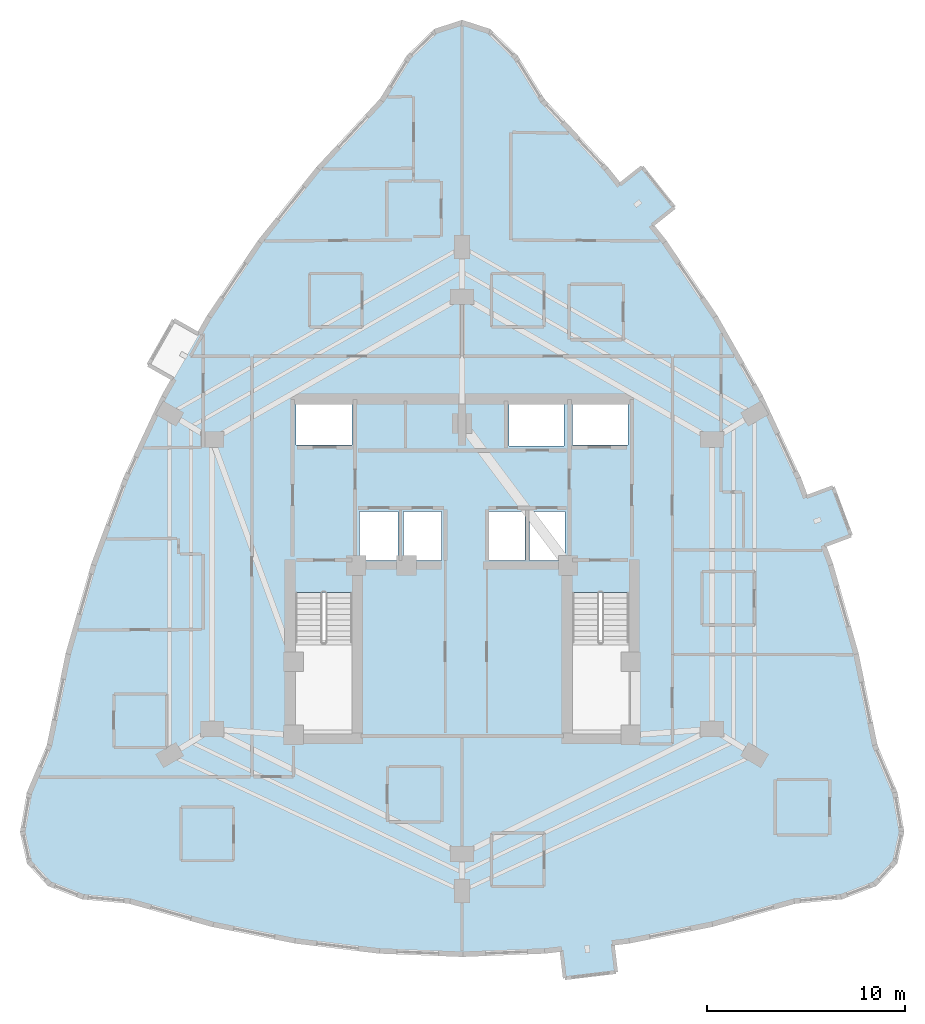
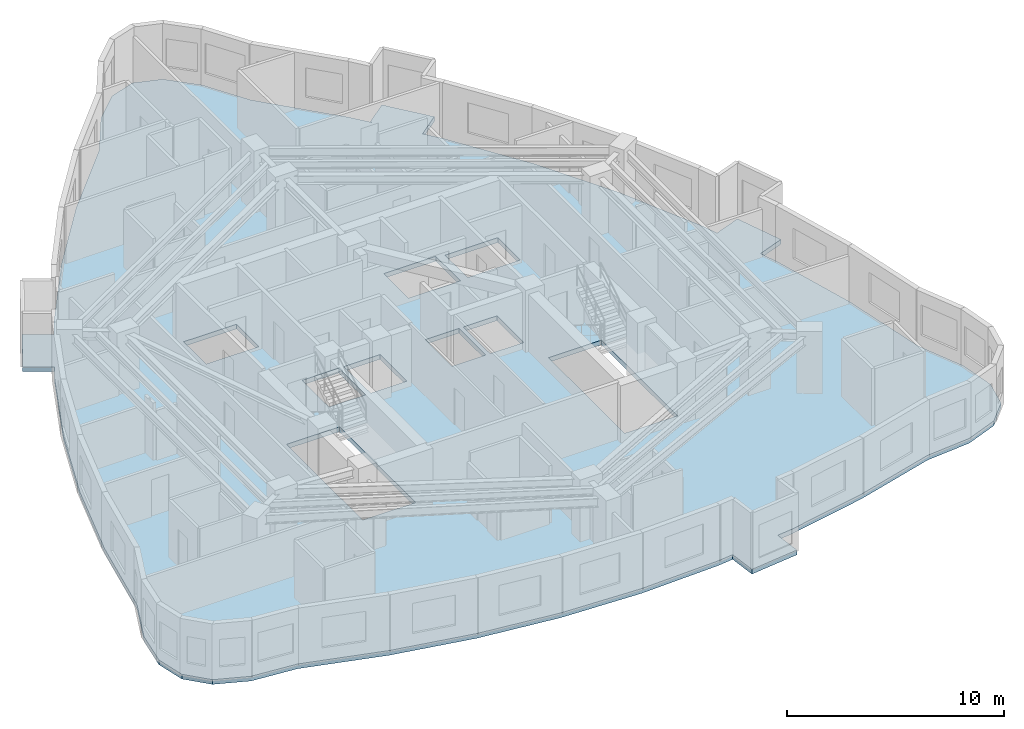
# One storey, part 3 of 12: 1 slab.
"""IFC4 building model written with IfcOpenShell, lengths in metres."""

from ifc_helpers import new_model, si_unit, direction, frame, origin, place, context, subcontext, project, spatial, polyline, outline, extrude, material, layer, layer_set, type_object, element, save


model = new_model("IFC4")

# Units and contexts
model_context = context("Model", 3, precision=1e-05, world=origin(), true_north=direction((0.0, 1.0)))
body_context = subcontext(model_context, "Body", "Model", "MODEL_VIEW")
ifc_project = project(units=[si_unit("LENGTHUNIT", "METRE"), si_unit("AREAUNIT", "SQUARE_METRE"), si_unit("VOLUMEUNIT", "CUBIC_METRE"), si_unit("PLANEANGLEUNIT", "RADIAN"), si_unit("MASSUNIT", "GRAM", prefix="KILO")], contexts=[model_context])

# Site, building, storey
site_placement = place(None, origin())
site = spatial("IfcSite", under=ifc_project, at=site_placement, CompositionType="ELEMENT")
building_placement = place(site_placement, origin())
building = spatial("IfcBuilding", under=site, at=building_placement, Name="Miruveldt Soraemaru", CompositionType="ELEMENT")
storey_placement = place(building_placement, frame((0.0, 0.0, 110.89990234375)))
storey = spatial("IfcBuildingStorey", under=building, at=storey_placement, Name="L30", CompositionType="ELEMENT", Elevation=110.89990234375)

# Slab
ifc_material = material(Name="Concrete C40/50 (40 MPa)", Category="concrete")
ifc_layer = layer(ifc_material, 0.264892578125, Name="Concrete C40/50 (40 MPa)", Category="concrete")
ifc_layer_set = layer_set([ifc_layer], Name="Concrete C40/50 (40 MPa)")
slab_type = type_object("IfcSlabType", Name="SLAB-RES2-265", PredefinedType="FLOOR", material=ifc_layer_set)
slab_placement = place(storey_placement, frame((0.0, 0.0, -0.264892578125)))
element("IfcSlab", 1, at=slab_placement, inside=storey, type_object=slab_type, Name="L30 Structural Floor Slab", PredefinedType="FLOOR", context=body_context, shape_type="SweptSolid", body=[
    extrude(outline(polyline([(49.17431640625, 23.251708984375), (48.997802734375, 24.72119140625), (48.1923828125, 24.62451171875), (44.0, 24.456787109375), (39.8076171875, 24.62451171875), (35.615234375, 25.127685546875), (31.4228515625, 25.966064453125), (27.23046875, 27.139892578125), (24.877685546875, 27.357421875), (23.197021484375, 28.00927734375), (22.188720703125, 29.095947265625), (21.8525390625, 30.617431640625), (22.188720703125, 32.573486328125), (23.197021484375, 34.96435546875), (24.154541015625, 39.61767578125), (25.4375, 44.103515625), (27.045654296875, 48.42138671875), (28.979248046875, 52.571533203125), (29.46728515625, 53.43212890625), (28.179931640625, 54.162109375), (29.462646484375, 56.423828125), (30.75, 55.693603515625), (30.108642578125, 54.56298828125), (31.238037109375, 56.55419921875), (33.822265625, 60.368896484375), (36.731689453125, 64.01611328125), (39.966552734375, 67.49560546875), (41.31103515625, 69.669189453125), (42.655517578125, 70.97314453125), (44.0, 71.407958984375), (45.344482421875, 70.97314453125), (46.68896484375, 69.669189453125), (48.033447265625, 67.49560546875), (51.268310546875, 64.01611328125), (52.722900390625, 62.192626953125), (51.912353515625, 63.208984375), (53.0693359375, 64.1318359375), (54.690673828125, 62.099365234375), (53.53369140625, 61.17626953125), (54.177734375, 60.368896484375), (56.761962890625, 56.55419921875), (59.020751953125, 52.571533203125), (60.954345703125, 48.42138671875), (61.75830078125, 46.262451171875), (61.3046875, 47.480712890625), (62.691650390625, 47.997314453125), (63.59912109375, 45.560791015625), (62.212158203125, 45.044189453125), (62.5625, 44.103515625), (63.845458984375, 39.61767578125), (64.802978515625, 34.96435546875), (65.811279296875, 32.573486328125), (66.1474609375, 30.617431640625), (65.811279296875, 29.095947265625), (64.802978515625, 28.00927734375), (63.122314453125, 27.357421875), (60.76953125, 27.139892578125), (56.5771484375, 25.966064453125), (52.384765625, 25.127685546875), (50.28857421875, 24.8759765625), (51.579345703125, 25.031005859375), (51.755615234375, 23.561279296875), (49.17431640625, 23.251708984375)]), holes=[polyline([(35.614990234375, 35.6650390625), (38.43505859375, 35.6650390625), (38.43505859375, 42.68505859375), (35.614990234375, 42.68505859375), (35.614990234375, 35.6650390625)]), polyline([(49.56494140625, 35.6650390625), (52.385009765625, 35.6650390625), (52.385009765625, 42.68505859375), (49.56494140625, 42.68505859375), (49.56494140625, 35.6650390625)]), polyline([(40.764892578125, 44.31494140625), (40.764892578125, 46.784912109375), (38.81494140625, 46.784912109375), (38.81494140625, 44.31494140625), (40.764892578125, 44.31494140625)]), polyline([(42.965087890625, 44.31494140625), (42.965087890625, 46.784912109375), (41.034912109375, 46.784912109375), (41.034912109375, 44.31494140625), (42.965087890625, 44.31494140625)]), polyline([(47.1650390625, 44.31494140625), (47.1650390625, 46.784912109375), (45.364990234375, 46.784912109375), (45.364990234375, 44.31494140625), (47.1650390625, 44.31494140625)]), polyline([(49.18505859375, 44.31494140625), (49.18505859375, 46.784912109375), (47.39501953125, 46.784912109375), (47.39501953125, 44.31494140625), (49.18505859375, 44.31494140625)]), polyline([(38.445068359375, 50.135009765625), (38.445068359375, 52.205078125), (35.635009765625, 52.205078125), (35.635009765625, 50.135009765625), (38.445068359375, 50.135009765625)]), polyline([(49.554931640625, 50.135009765625), (52.364990234375, 50.135009765625), (52.364990234375, 52.205078125), (49.554931640625, 52.205078125), (49.554931640625, 50.135009765625)]), polyline([(46.364990234375, 50.06494140625), (49.135009765625, 50.06494140625), (49.135009765625, 52.3349609375), (46.364990234375, 52.3349609375), (46.364990234375, 50.06494140625)])]), origin(), (0.0, 0.0, 1.0), 0.264892578125),
])

save(model, "model.ifc")
